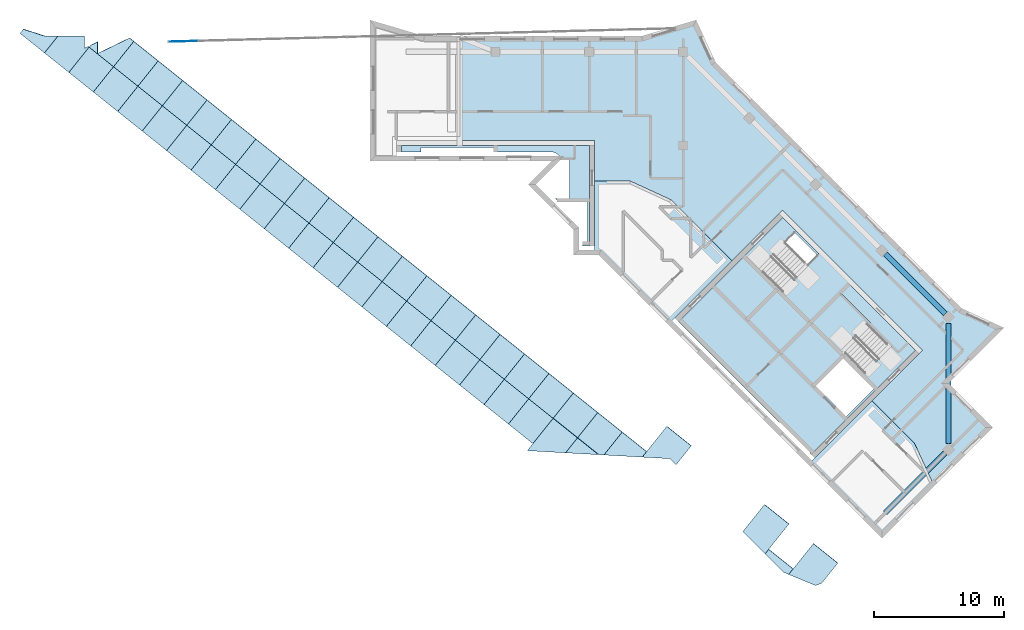
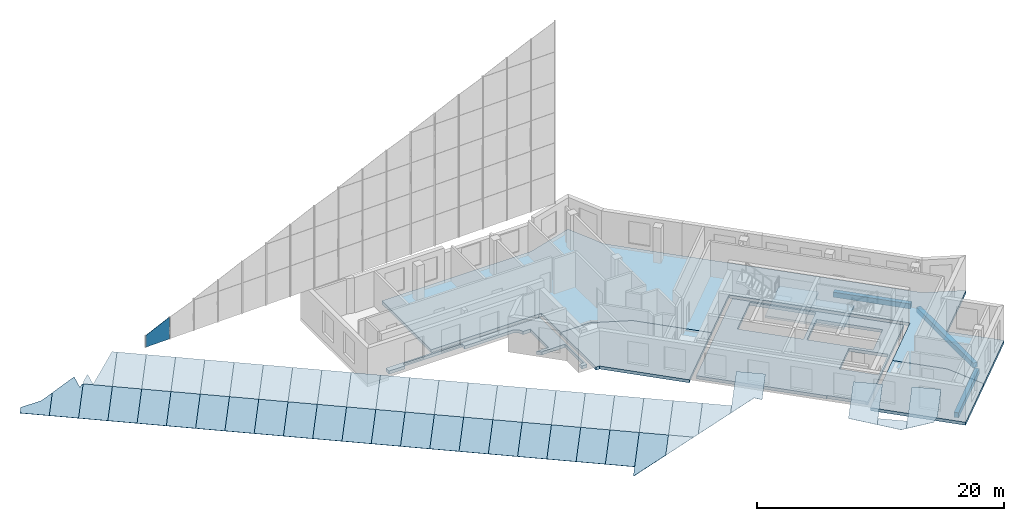
# One storey, part 5 of 13: 50 plates, 7 slabs, 3 beams, 3 openings, 3 elements without a shape of their own.
"""IFC4 building model written with IfcOpenShell, lengths in metres."""

import ifcopenshell
import ifcopenshell.guid

model = None  # the IFC model being written
_history = None  # IfcOwnerHistory: only IFC2X3 demands one
_inside = {}  # id of a spatial element -> (the spatial element, [elements in it])
_under = {}  # id of a project, library or spatial element -> (it, [spatial elements below it])
_declared = {}  # id of a project -> (the project, [libraries it declares])
_typed = {}  # id of a type object -> (the type object, [elements of that type])
_made_of = {}  # id of a material, layer set ... -> (it, [elements and type objects made of it])


def new_model(schema):
    """Start an empty IFC model of exactly this schema.

    Asked for "IFC4X3", IfcOpenShell would pick the latest addendum, in which some entities
    have other attributes; the version numbers below select the first issue.
    IFC2X3 requires an IfcOwnerHistory on every rooted entity: one is made here for all.
    """
    global model, _history
    if schema == "IFC4X3":
        model = ifcopenshell.file(schema_version=(4, 3, 0, 0))
    else:
        model = ifcopenshell.file(schema=schema)
    _inside.clear()
    _under.clear()
    _declared.clear()
    _typed.clear()
    _made_of.clear()
    _history = None
    if model.schema == "IFC2X3":
        org = make("IfcOrganization", Name="unknown")
        user = make(
            "IfcPersonAndOrganization",
            ThePerson=make("IfcPerson", FamilyName="unknown"),
            TheOrganization=org,
        )
        app = make(
            "IfcApplication",
            ApplicationDeveloper=org,
            Version="unknown",
            ApplicationFullName="unknown",
            ApplicationIdentifier="unknown",
        )
        _history = make(
            "IfcOwnerHistory",
            OwningUser=user,
            OwningApplication=app,
            ChangeAction="ADDED",
            CreationDate=0,
        )
    return model


def make(cls, **values):
    """One entity of the class cls with the attributes given. An attribute that is None is left unset."""
    return model.create_entity(
        cls, **{name: value for name, value in values.items() if value is not None}
    )


def rooted(cls, **values):
    """An entity with a GlobalId (a new one), such as an element, a storey or a relation."""
    return make(cls, GlobalId=ifcopenshell.guid.new(), OwnerHistory=_history, **values)


def si_unit(unit_type, name, prefix=None):
    """IfcSIUnit, for example si_unit("LENGTHUNIT", "METRE", prefix="MILLI")."""
    return make("IfcSIUnit", UnitType=unit_type, Prefix=prefix, Name=name)


def assignment(units):
    """IfcUnitAssignment: the units of a project."""
    return None if units is None else make("IfcUnitAssignment", Units=units)


def point(xyz):
    """IfcCartesianPoint."""
    return None if xyz is None else make("IfcCartesianPoint", Coordinates=xyz)


def direction(xyz):
    """IfcDirection."""
    return None if xyz is None else make("IfcDirection", DirectionRatios=xyz)


def frame(location, z_axis=None, x_axis=None):
    """IfcAxis2Placement3D, a coordinate frame: its origin and axes. An axis left out is left unset."""
    return make(
        "IfcAxis2Placement3D",
        Location=point(location),
        Axis=direction(z_axis),
        RefDirection=direction(x_axis),
    )


def frame_2d(location, x_axis=None):
    """IfcAxis2Placement2D, a coordinate frame in the plane: its origin and x axis."""
    return make(
        "IfcAxis2Placement2D", Location=point(location), RefDirection=direction(x_axis)
    )


def origin():
    """The frame at (0, 0, 0) with its axes left unset."""
    return frame((0.0, 0.0, 0.0))


def origin_2d():
    """The frame at (0, 0) in the plane with its x axis left unset."""
    return frame_2d((0.0, 0.0))


def place(relative_to, where):
    """IfcLocalPlacement: puts the frame where relative to a parent placement (None: the world)."""
    return make(
        "IfcLocalPlacement", PlacementRelTo=relative_to, RelativePlacement=where
    )


def context(
    kind, dimensions, precision=None, world=None, true_north=None, identifier=None
):
    """IfcGeometricRepresentationContext, for example the 3D "Model" context."""
    return make(
        "IfcGeometricRepresentationContext",
        ContextIdentifier=identifier,
        ContextType=kind,
        CoordinateSpaceDimension=dimensions,
        Precision=precision,
        WorldCoordinateSystem=world,
        TrueNorth=true_north,
    )


def subcontext(parent, identifier, kind, view, scale=None):
    """IfcGeometricRepresentationSubContext, for example "Body" below "Model"."""
    return make(
        "IfcGeometricRepresentationSubContext",
        ContextIdentifier=identifier,
        ContextType=kind,
        ParentContext=parent,
        TargetScale=scale,
        TargetView=view,
    )


def project(units=None, contexts=None):
    """IfcProject with its units and contexts."""
    return rooted(
        "IfcProject",
        Name="project",
        RepresentationContexts=contexts,
        UnitsInContext=assignment(units),
    )


def spatial(cls, under=None, at=None, **own):
    """A site, building, storey or space (cls), placed at a placement, below another one or the project."""
    s = rooted(cls, ObjectPlacement=at, **own)
    if under is not None:
        _under.setdefault(under.id(), (under, []))[1].append(s)
    return s


def polyline(points):
    """IfcPolyline through the points."""
    return make("IfcPolyline", Points=[point(p) for p in points])


def profile(cls, at=None, kind="AREA", **sizes):
    """A parametric profile (cls). Its sizes go by their IFC names, for example OverallWidth=200.0."""
    return make(cls, ProfileType=kind, Position=at, **sizes)


def rectangle(**sizes):
    """IfcRectangleProfileDef."""
    return profile("IfcRectangleProfileDef", **sizes)


def outline(outer, holes=None, kind="AREA"):
    """IfcArbitraryClosedProfileDef: a profile drawn as a closed curve; with holes, ...WithVoids."""
    if holes is None:
        return make("IfcArbitraryClosedProfileDef", ProfileType=kind, OuterCurve=outer)
    return make(
        "IfcArbitraryProfileDefWithVoids",
        ProfileType=kind,
        OuterCurve=outer,
        InnerCurves=holes,
    )


def extrude(swept, where, along, depth):
    """IfcExtrudedAreaSolid: the profile swept, set in the frame where, extruded along a direction by depth."""
    return make(
        "IfcExtrudedAreaSolid",
        SweptArea=swept,
        Position=where,
        ExtrudedDirection=direction(along),
        Depth=depth,
    )


def shape(context_of_items, identifier, shape_type, items):
    """IfcShapeRepresentation: the items that make up one representation, for example the "Body"."""
    return make(
        "IfcShapeRepresentation",
        ContextOfItems=context_of_items,
        RepresentationIdentifier=identifier,
        RepresentationType=shape_type,
        Items=items,
    )


def material(Name=None, Category=None):
    """IfcMaterial."""
    return make("IfcMaterial", Name=Name, Category=Category)


def layer(
    of_material, thickness, ventilated=None, Name=None, Category=None, Priority=None
):
    """IfcMaterialLayer: one layer of a wall or slab, of a material (None: an air gap)."""
    return make(
        "IfcMaterialLayer",
        Material=of_material,
        LayerThickness=thickness,
        IsVentilated=ventilated,
        Name=Name,
        Category=Category,
        Priority=Priority,
    )


def layer_set(layers, Name=None):
    """IfcMaterialLayerSet."""
    return make("IfcMaterialLayerSet", MaterialLayers=layers, LayerSetName=Name)


def material_profile(
    of_material, cross_section, Name=None, Category=None, Priority=None
):
    """IfcMaterialProfile: a cross section and its material."""
    return make(
        "IfcMaterialProfile",
        Name=Name,
        Material=of_material,
        Profile=cross_section,
        Priority=Priority,
        Category=Category,
    )


def profile_set(profiles, Name=None, composite=None):
    """IfcMaterialProfileSet."""
    return make(
        "IfcMaterialProfileSet",
        Name=Name,
        MaterialProfiles=profiles,
        CompositeProfile=composite,
    )


def made_of(thing, what):
    """Note that an element or type object is made of a material, layer set ...; save() writes the relation."""
    if what is not None:
        _made_of.setdefault(what.id(), (what, []))[1].append(thing)
    return thing


def type_object(cls, material=None, **own):
    """A type object (cls), such as IfcWallType, which elements share."""
    return made_of(rooted(cls, **own), material)


def element(
    cls,
    number,
    at=None,
    inside=None,
    cuts=None,
    type_object=None,
    material=None,
    context=None,
    identifier="Body",
    shape_type=None,
    held_by="IfcProductDefinitionShape",
    body=None,
    shapes=None,
    **own,
):
    """One element of the class cls, such as IfcWall. Its Tag is "e" and its number.

    at: its placement. inside: the storey or other place that contains it. cuts: it is an
    opening in that element (IfcRelVoidsElement). A single representation is given by context,
    identifier, shape_type and body (its items); several are given by shapes. held_by: the class
    of the entity that holds the representations. save() writes the other relations.
    """
    e = rooted(cls, Tag="e%d" % number, ObjectPlacement=at, **own)
    if body is not None:
        shapes = [shape(context, identifier, shape_type, body)]
    if shapes is not None:
        e.Representation = make(held_by, Representations=shapes)
    if inside is not None:
        _inside.setdefault(inside.id(), (inside, []))[1].append(e)
    if cuts is not None:
        rooted(
            "IfcRelVoidsElement", RelatingBuildingElement=cuts, RelatedOpeningElement=e
        )
    if type_object is not None:
        _typed.setdefault(type_object.id(), (type_object, []))[1].append(e)
    return made_of(e, material)


def aggregate(whole, parts):
    """IfcRelAggregates: a whole, such as a stair, and the parts it consists of."""
    return rooted("IfcRelAggregates", RelatingObject=whole, RelatedObjects=parts)


def save(model, path):
    """Write the relations noted so far, then the file.

    IfcRelAggregates (storeys below a building ...), IfcRelContainedInSpatialStructure (elements
    in a storey), IfcRelDefinesByType, IfcRelAssociatesMaterial and IfcRelDeclares: one each for
    every whole, place, type object, material and project.
    """
    for whole, parts in _under.values():
        aggregate(whole, parts)
    for where, things in _inside.values():
        rooted(
            "IfcRelContainedInSpatialStructure",
            RelatedElements=things,
            RelatingStructure=where,
        )
    for kind, things in _typed.values():
        rooted("IfcRelDefinesByType", RelatedObjects=things, RelatingType=kind)
    for what, things in _made_of.values():
        rooted("IfcRelAssociatesMaterial", RelatedObjects=things, RelatingMaterial=what)
    for by, libraries in _declared.values():
        rooted("IfcRelDeclares", RelatingContext=by, RelatedDefinitions=libraries)
    model.write(path)


model = new_model("IFC4")

# Units and contexts
model_context = context("Model", 3, precision=1e-05, world=origin(), true_north=direction((0.0, 1.0)))
body_context = subcontext(model_context, "Body", "Model", "MODEL_VIEW")
ifc_project = project(units=[si_unit("LENGTHUNIT", "METRE"), si_unit("AREAUNIT", "SQUARE_METRE"), si_unit("VOLUMEUNIT", "CUBIC_METRE"), si_unit("PLANEANGLEUNIT", "RADIAN"), si_unit("MASSUNIT", "GRAM", prefix="KILO")], contexts=[model_context])

# Site, building, storey
site_placement = place(None, origin())
site = spatial("IfcSite", under=ifc_project, at=site_placement, CompositionType="ELEMENT")
building_placement = place(site_placement, origin())
building = spatial("IfcBuilding", under=site, at=building_placement, Name="Windrow Commons", CompositionType="ELEMENT")
storey_placement = place(building_placement, frame((0.0, 0.0, 302.0)))
storey = spatial("IfcBuildingStorey", under=building, at=storey_placement, Name="L82", CompositionType="ELEMENT", Elevation=302.0)

# Beams
ifc_material_1 = material(Name="Concrete C40/50", Category="concrete")
ifc_material_profile = material_profile(ifc_material_1, rectangle(XDim=0.4, YDim=0.5, at=origin_2d()))
ifc_profile_set = profile_set([ifc_material_profile], Name="Concrete C40/50")
beam_type = type_object("IfcBeamType", Name="RC EDGE BEAM 400x500 C40/50", PredefinedType="SPANDREL", material=ifc_profile_set)
beam_1_placement = place(storey_placement, frame((94.721, 56.479, -0.55), z_axis=(0.7071067812, -0.7071067812, 0.0), x_axis=(0.7071067812, 0.7071067812, 0.0)))
element("IfcBeam", 1, at=beam_1_placement, inside=storey, type_object=beam_type, Name="Edge beam L82 007", PredefinedType="SPANDREL", context=body_context, shape_type="SweptSolid", body=[
    extrude(rectangle(XDim=0.4, YDim=0.5, at=origin_2d()), origin(), (0.0, 0.0, 1.0), 6.5),
])
beam_2_placement = place(storey_placement, frame((99.5647, 51.1403, -0.55), z_axis=(0.0, -1.0, 0.0), x_axis=(1.0, 0.0, 0.0)))
element("IfcBeam", 2, at=beam_2_placement, inside=storey, type_object=beam_type, Name="Edge beam L82 008", PredefinedType="SPANDREL", context=body_context, shape_type="SweptSolid", body=[
    extrude(rectangle(XDim=0.4, YDim=0.5, at=origin_2d()), origin(), (0.0, 0.0, 1.0), 9.1923),
])
beam_3_placement = place(storey_placement, frame((99.3172, 41.2055, -0.55), z_axis=(-0.7071067812, -0.7071067812, 0.0), x_axis=(0.7071067812, -0.7071067812, 0.0)))
element("IfcBeam", 3, at=beam_3_placement, inside=storey, type_object=beam_type, Name="Edge beam L82 009", PredefinedType="SPANDREL", context=body_context, shape_type="SweptSolid", body=[
    extrude(rectangle(XDim=0.4, YDim=0.5, at=origin_2d()), origin(), (0.0, 0.0, 1.0), 6.5),
])

# Slab
ifc_material_2 = material(Name="Concrete C40/50", Category="concrete")
ifc_layer_1 = layer(ifc_material_2, 0.3)
ifc_layer_set_1 = layer_set([ifc_layer_1], Name="CORE FLOOR SLAB 300 C40/50")
slab_type_1 = type_object("IfcSlabType", Name="CORE FLOOR SLAB 300 C40/50", PredefinedType="FLOOR", material=ifc_layer_set_1)
placement_1 = place(storey_placement, frame((0.0, 0.0, -0.3)))
element("IfcSlab", 4, at=placement_1, inside=storey, type_object=slab_type_1, Name="S-L82-core-A", PredefinedType="FLOOR", context=body_context, shape_type="SweptSolid", body=[
    extrude(outline(polyline([(57.6, 64.8), (72.0, 64.8), (72.0, 57.1), (71.5, 57.1), (71.5, 57.45), (71.85, 57.45), (71.85, 60.45), (69.6782, 60.45), (69.3782, 60.75), (70.5, 60.75), (70.5, 63.705), (69.7941, 63.705), (69.7894, 63.7366), (69.7728, 63.8032), (69.7496, 63.8679), (69.7202, 63.93), (69.6849, 63.9889), (69.644, 64.0441), (69.5979, 64.095), (69.547, 64.1411), (69.4918, 64.182), (69.4329, 64.2173), (69.3708, 64.2467), (69.3061, 64.2699), (69.2395, 64.2865), (69.1715, 64.2966), (69.1029, 64.3), (64.65, 64.3), (64.65, 64.65), (59.1, 64.65), (59.1, 64.3), (57.6, 64.3), (57.6, 64.8)])), origin(), (0.0, 0.0, 1.0), 0.3),
])

# Slab, openings
slab_2 = element("IfcSlab", 5, at=placement_1, inside=storey, type_object=slab_type_1, Name="S-L82-core-B", PredefinedType="FLOOR", context=body_context, shape_type="SweptSolid", body=[
    extrude(outline(polyline([(86.8368, 59.2721), (97.0191, 49.0897), (89.0288, 41.0994), (88.9227, 41.2055), (88.9581, 41.2409), (86.6246, 43.5743), (86.5893, 43.539), (78.8465, 51.2818), (86.8368, 59.2721)]), holes=[polyline([(91.7158, 43.9986), (93.8371, 46.1199), (91.5037, 48.4533), (89.3823, 46.332), (91.7158, 43.9986)]), polyline([(88.9581, 51.4232), (91.7158, 54.1809), (87.7913, 58.1054), (85.0336, 55.3476), (88.9581, 51.4232)]), polyline([(93.0946, 47.2866), (95.1841, 49.3761), (91.2597, 53.3006), (89.1702, 51.2111), (93.0946, 47.2866)])]), origin(), (0.0, 0.0, 1.0), 0.3),
])
opening_1_placement = place(placement_1, origin())
element("IfcOpeningElement", 6, at=opening_1_placement, cuts=slab_2, Name="Slab opening S-L82-core-B 1", PredefinedType="OPENING", context=body_context, shape_type="SweptSolid", body=[
    extrude(outline(polyline([(91.7158, 44.0057), (89.3894, 46.332), (91.5037, 48.4462), (93.83, 46.1199), (91.7158, 44.0057)])), origin(), (0.0, 0.0, 1.0), 0.3),
])
opening_2_placement = place(placement_1, origin())
element("IfcOpeningElement", 7, at=opening_2_placement, cuts=slab_2, Name="Slab opening S-L82-core-B 2", PredefinedType="OPENING", context=body_context, shape_type="SweptSolid", body=[
    extrude(outline(polyline([(88.9581, 51.4303), (85.0407, 55.3476), (87.7913, 58.0983), (91.7087, 54.1809), (88.9581, 51.4303)])), origin(), (0.0, 0.0, 1.0), 0.3),
])
opening_3_placement = place(placement_1, origin())
element("IfcOpeningElement", 8, at=opening_3_placement, cuts=slab_2, Name="Slab opening S-L82-core-B 3", PredefinedType="OPENING", context=body_context, shape_type="SweptSolid", body=[
    extrude(outline(polyline([(93.0946, 47.2937), (89.1773, 51.2111), (91.2597, 53.2935), (95.177, 49.3761), (93.0946, 47.2937)])), origin(), (0.0, 0.0, 1.0), 0.3),
])

# Stair, slab
ifc_material_3 = material(Name="Concrete C40/50", Category="concrete")
stair_type = type_object("IfcStairType", Name="Core stair", PredefinedType="HALF_TURN_STAIR", material=ifc_material_3)
placement_2 = place(storey_placement, origin())
stair_1 = element("IfcStair", 9, at=placement_2, inside=storey, type_object=stair_type, Name="L82 Exit stair B1 core B", PredefinedType="HALF_TURN_STAIR")
ifc_material_4 = material(Name="Concrete C40/50", Category="concrete")
ifc_layer_2 = layer(ifc_material_4, 0.2)
ifc_layer_set_2 = layer_set([ifc_layer_2], Name="Core stair landing")
slab_type_2 = type_object("IfcSlabType", Name="Core stair landing", PredefinedType="LANDING", material=ifc_layer_set_2)
placement_3 = place(storey_placement, frame((0.0, 0.0, 1.7)))
slab_3 = element("IfcSlab", 10, at=placement_3, type_object=slab_type_2, Name="ST-B1 landing 1", PredefinedType="LANDING", context=body_context, shape_type="SweptSolid", body=[
    extrude(outline(polyline([(86.5539, 53.4738), (88.8874, 51.1403), (91.9986, 54.2516), (89.6652, 56.5851), (86.5539, 53.4738)])), origin(), (0.0, 0.0, 1.0), 0.2),
])
aggregate(stair_1, [slab_3])

stair_2 = element("IfcStair", 11, at=placement_2, inside=storey, type_object=stair_type, Name="L82 Exit stair B2 core B", PredefinedType="HALF_TURN_STAIR")
slab_4 = element("IfcSlab", 12, at=placement_3, type_object=slab_type_2, Name="ST-B2 landing 1", PredefinedType="LANDING", context=body_context, shape_type="SweptSolid", body=[
    extrude(outline(polyline([(88.8874, 51.1403), (91.2208, 48.8069), (93.5931, 51.1792), (91.2597, 53.5127), (88.8874, 51.1403)])), origin(), (0.0, 0.0, 1.0), 0.2),
])
aggregate(stair_2, [slab_4])

# Plates
ifc_material_5 = material(Name="Laminated glass in aluminium frame", Category="aluminium")
ifc_layer_3 = layer(ifc_material_5, 0.04)
ifc_layer_set_3 = layer_set([ifc_layer_3], Name="Crown glazing panel 2400x3000")
plate_type_1 = type_object("IfcPlateType", Name="Crown glazing panel 2400x3000", PredefinedType="SHEET", material=ifc_layer_set_3)
plate_1_placement = place(storey_placement, frame((70.1802, 41.2142, 1.2736), z_axis=(-0.3493437599, -0.4366593371, 0.829028082), x_axis=(0.5179035181, 0.6473511463, 0.5592069735)))
element("IfcPlate", 13, at=plate_1_placement, inside=storey, type_object=plate_type_1, Name="Crown glazing 57", PredefinedType="SHEET", context=body_context, shape_type="SweptSolid", body=[
    extrude(outline(polyline([(0.0, 0.0), (1.7698, 0.0), (1.7698, -2.0597), (0.0, 0.0)])), origin(), (0.0, 0.0, -1.0), 0.04),
])
plate_2_placement = place(storey_placement, frame((67.669, 41.9171, 0.5857), z_axis=(-0.349330801, -0.4366576763, 0.8290344174), x_axis=(-0.7808647444, 0.6247001288, 0.0)))
element("IfcPlate", 14, at=plate_2_placement, inside=storey, type_object=plate_type_1, Name="Crown glazing 58", PredefinedType="SHEET", context=body_context, shape_type="SweptSolid", body=[
    extrude(outline(polyline([(0.0, 0.0), (2.4, 0.0), (2.4, -3.0), (0.0, -3.0), (0.0, 0.0)])), origin(), (0.0, 0.0, -1.0), 0.04),
])
plate_3_placement = place(storey_placement, frame((65.7949, 43.4164, 0.5857), z_axis=(-0.3493165936, -0.4366690422, 0.8290344173), x_axis=(-0.7808850696, 0.6246747219, 0.0)))
element("IfcPlate", 15, at=plate_3_placement, inside=storey, type_object=plate_type_1, Name="Crown glazing 59", PredefinedType="SHEET", context=body_context, shape_type="SweptSolid", body=[
    extrude(outline(polyline([(0.0, 0.0), (2.4, 0.0), (2.3999, -3.0), (-0.0001, -3.0), (0.0, 0.0)])), origin(), (0.0, 0.0, -1.0), 0.04),
])
plate_4_placement = place(storey_placement, frame((63.9208, 44.9156, 0.5857), z_axis=(-0.349330801, -0.4366576763, 0.8290344174), x_axis=(-0.7808647444, 0.6247001288, 0.0)))
element("IfcPlate", 16, at=plate_4_placement, inside=storey, type_object=plate_type_1, Name="Crown glazing 60", PredefinedType="SHEET", context=body_context, shape_type="SweptSolid", body=[
    extrude(outline(polyline([(0.0, 0.0), (2.4, 0.0), (2.4, -3.0), (0.0, -3.0), (0.0, 0.0)])), origin(), (0.0, 0.0, -1.0), 0.04),
])
plate_5_placement = place(storey_placement, frame((62.0467, 46.4149, 0.5857), z_axis=(-0.3493394993, -0.436656899, 0.8290311615), x_axis=(-0.780851026, 0.6247172762, 6.0337e-06)))
element("IfcPlate", 17, at=plate_5_placement, inside=storey, type_object=plate_type_1, Name="Crown glazing 61", PredefinedType="SHEET", context=body_context, shape_type="SweptSolid", body=[
    extrude(outline(polyline([(0.0, 0.0), (2.4, 0.0), (2.4001, -3.0), (0.0001, -3.0), (0.0, 0.0)])), origin(), (0.0, 0.0, -1.0), 0.04),
])
plate_6_placement = place(storey_placement, frame((60.1727, 47.9142, 0.5857), z_axis=(-0.3493252917, -0.436668265, 0.8290311616), x_axis=(-0.7808825273, 0.6246778998, -6.0334e-06)))
element("IfcPlate", 18, at=plate_6_placement, inside=storey, type_object=plate_type_1, Name="Crown glazing 62", PredefinedType="SHEET", context=body_context, shape_type="SweptSolid", body=[
    extrude(outline(polyline([(0.0, 0.0), (2.4, 0.0), (2.3999, -3.0), (0.0, -3.0), (0.0, 0.0)])), origin(), (0.0, 0.0, -1.0), 0.04),
])
for number, where, z_axis, x_axis, name in (
    (19, (58.2986, 49.4134, 0.5857), (-0.349330801, -0.4366576763, 0.8290344174), (-0.7808647444, 0.6247001288, 0.0), "Crown glazing 63"),
    (20, (56.4245, 50.9127, 0.5857), (-0.349330801, -0.4366576763, 0.8290344174), (-0.7808647444, 0.6247001288, 0.0), "Crown glazing 64"),
):
    element("IfcPlate", number, at=place(storey_placement, frame(where, z_axis=z_axis, x_axis=x_axis)), inside=storey, type_object=plate_type_1, Name=name, PredefinedType="SHEET", context=body_context, shape_type="SweptSolid", body=[
        extrude(outline(polyline([(0.0, 0.0), (2.4, 0.0), (2.4, -3.0), (0.0, -3.0), (0.0, 0.0)])), origin(), (0.0, 0.0, -1.0), 0.04),
    ])
plate_7_placement = place(storey_placement, frame((54.5504, 52.412, 0.5857), z_axis=(-0.3493165936, -0.4366690422, 0.8290344173), x_axis=(-0.7808850696, 0.6246747219, 0.0)))
element("IfcPlate", 21, at=plate_7_placement, inside=storey, type_object=plate_type_1, Name="Crown glazing 65", PredefinedType="SHEET", context=body_context, shape_type="SweptSolid", body=[
    extrude(outline(polyline([(0.0, 0.0), (2.4, 0.0), (2.3999, -3.0), (-0.0001, -3.0), (0.0, 0.0)])), origin(), (0.0, 0.0, -1.0), 0.04),
])
for number, where, z_axis, x_axis, name in (
    (22, (52.6763, 53.9112, 0.5857), (-0.349330801, -0.4366576763, 0.8290344174), (-0.7808647444, 0.6247001288, 0.0), "Crown glazing 66"),
    (23, (50.8022, 55.4105, 0.5857), (-0.349330801, -0.4366576763, 0.8290344174), (-0.7808647444, 0.6247001288, 0.0), "Crown glazing 67"),
):
    element("IfcPlate", number, at=place(storey_placement, frame(where, z_axis=z_axis, x_axis=x_axis)), inside=storey, type_object=plate_type_1, Name=name, PredefinedType="SHEET", context=body_context, shape_type="SweptSolid", body=[
        extrude(outline(polyline([(0.0, 0.0), (2.4, 0.0), (2.4, -3.0), (0.0, -3.0), (0.0, 0.0)])), origin(), (0.0, 0.0, -1.0), 0.04),
    ])
plate_8_placement = place(storey_placement, frame((48.9281, 56.9098, 0.5857), z_axis=(-0.3493286265, -0.4366578706, 0.8290352313), x_axis=(-0.7808681739, 0.624695842, -1.5084e-06)))
element("IfcPlate", 24, at=plate_8_placement, inside=storey, type_object=plate_type_1, Name="Crown glazing 68", PredefinedType="SHEET", context=body_context, shape_type="SweptSolid", body=[
    extrude(outline(polyline([(0.0, 0.0), (2.3999, 0.0), (2.4, -3.0), (0.0, -3.0), (0.0, 0.0)])), origin(), (0.0, 0.0, -1.0), 0.04),
])
plate_9_placement = place(storey_placement, frame((47.0541, 58.409, 0.5857), z_axis=(-0.3493286265, -0.4366578706, 0.8290352313), x_axis=(-0.78086538, 0.6246993343, 1.5083e-06)))
element("IfcPlate", 25, at=plate_9_placement, inside=storey, type_object=plate_type_1, Name="Crown glazing 69", PredefinedType="SHEET", context=body_context, shape_type="SweptSolid", body=[
    extrude(outline(polyline([(0.0, 0.0), (2.4, 0.0), (2.4, -3.0), (0.0001, -3.0), (0.0, 0.0)])), origin(), (0.0, 0.0, -1.0), 0.04),
])
plate_10_placement = place(storey_placement, frame((45.18, 59.9083, 0.5857), z_axis=(-0.349330801, -0.4366576763, 0.8290344174), x_axis=(-0.7808647444, 0.6247001288, 0.0)))
element("IfcPlate", 26, at=plate_10_placement, inside=storey, type_object=plate_type_1, Name="Crown glazing 70", PredefinedType="SHEET", context=body_context, shape_type="SweptSolid", body=[
    extrude(outline(polyline([(0.0, 0.0), (2.4, 0.0), (2.4, -3.0), (0.0, -3.0), (0.0, 0.0)])), origin(), (0.0, 0.0, -1.0), 0.04),
])
plate_11_placement = place(storey_placement, frame((43.3059, 61.4076, 0.5857), z_axis=(-0.3493199284, -0.4366586479, 0.829038487), x_axis=(-0.7808818918, 0.6246786943, -7.5419e-06)))
element("IfcPlate", 27, at=plate_11_placement, inside=storey, type_object=plate_type_1, Name="Crown glazing 71", PredefinedType="SHEET", context=body_context, shape_type="SweptSolid", body=[
    extrude(outline(polyline([(0.0, 0.0), (2.4, 0.0), (2.4, -3.0001), (-0.0001, -3.0), (0.0, 0.0)])), origin(), (0.0, 0.0, -1.0), 0.04),
])
plate_12_placement = place(storey_placement, frame((41.4318, 62.9068, 0.5857), z_axis=(-0.3493199284, -0.4366586479, 0.829038487), x_axis=(-0.7808679222, 0.6246961565, 7.5417e-06)))
element("IfcPlate", 28, at=plate_12_placement, inside=storey, type_object=plate_type_1, Name="Crown glazing 72", PredefinedType="SHEET", context=body_context, shape_type="SweptSolid", body=[
    extrude(outline(polyline([(0.0, 0.0), (2.4, 0.0), (2.4, -3.0), (0.0001, -3.0001), (0.0, 0.0)])), origin(), (0.0, 0.0, -1.0), 0.04),
])
for number, where, z_axis, x_axis, name in (
    (29, (39.5577, 64.4061, 0.5857), (-0.349330801, -0.4366576763, 0.8290344174), (-0.7808647444, 0.6247001288, 0.0), "Crown glazing 73"),
    (30, (37.6836, 65.9054, 0.5857), (-0.349330801, -0.4366576763, 0.8290344174), (-0.7808647444, 0.6247001288, 0.0), "Crown glazing 74"),
):
    element("IfcPlate", number, at=place(storey_placement, frame(where, z_axis=z_axis, x_axis=x_axis)), inside=storey, type_object=plate_type_1, Name=name, PredefinedType="SHEET", context=body_context, shape_type="SweptSolid", body=[
        extrude(outline(polyline([(0.0, 0.0), (2.4, 0.0), (2.4, -3.0), (0.0, -3.0), (0.0, 0.0)])), origin(), (0.0, 0.0, -1.0), 0.04),
    ])
plate_13_placement = place(storey_placement, frame((35.8095, 67.4047, 0.5857), z_axis=(-0.3493252917, -0.436668265, 0.8290311616), x_axis=(-0.7808713518, 0.6246918695, 6.0336e-06)))
element("IfcPlate", 31, at=plate_13_placement, inside=storey, type_object=plate_type_1, Name="Crown glazing 75", PredefinedType="SHEET", context=body_context, shape_type="SweptSolid", body=[
    extrude(outline(polyline([(0.0, 0.0), (2.3999, 0.0), (2.4, -3.0), (0.0, -3.0), (0.0, 0.0)])), origin(), (0.0, 0.0, -1.0), 0.04),
])
plate_14_placement = place(storey_placement, frame((33.9355, 68.9039, 0.5857), z_axis=(-0.3493394993, -0.436656899, 0.8290311615), x_axis=(-0.780862202, 0.6247033067, -6.0335e-06)))
element("IfcPlate", 32, at=plate_14_placement, inside=storey, type_object=plate_type_1, Name="Crown glazing 76", PredefinedType="SHEET", context=body_context, shape_type="SweptSolid", body=[
    extrude(outline(polyline([(0.0, 0.0), (2.4, 0.0), (2.4, -3.0), (0.0001, -3.0), (0.0, 0.0)])), origin(), (0.0, 0.0, -1.0), 0.04),
])
plate_15_placement = place(storey_placement, frame((28.5725, 73.7258, 0.8657), z_axis=(-0.3493188593, -0.4366632947, 0.8290364899), x_axis=(0.925867184, -0.2968619573, 0.2337582852)))
element("IfcPlate", 33, at=plate_15_placement, inside=storey, type_object=plate_type_1, Name="Crown glazing 77", PredefinedType="SHEET", context=body_context, shape_type="SweptSolid", body=[
    extrude(outline(polyline([(0.0, 0.0), (1.7713, 0.0), (2.8088, 0.3627), (1.9709, -1.4581), (-0.2093, -0.4548), (0.0, 0.0)])), origin(), (0.0, 0.0, -1.0), 0.04),
])
plate_16_placement = place(storey_placement, frame((86.9074, 32.0485, 3.4942), z_axis=(-0.3493480736, -0.4366739853, 0.8290185487), x_axis=(-0.705144188, 0.7051617977, 0.0742866959)))
element("IfcPlate", 34, at=plate_16_placement, inside=storey, type_object=plate_type_1, Name="Crown glazing 78", PredefinedType="SHEET", context=body_context, shape_type="SweptSolid", body=[
    extrude(outline(polyline([(0.0, 0.0), (2.0052, 0.0), (2.076, -0.5277), (-0.3027, -0.8464), (-0.3897, -0.1976), (0.0, 0.0)])), origin(), (0.0, 0.0, -1.0), 0.04),
])
plate_17_placement = place(storey_placement, frame((73.1223, 41.0499, 2.4268), z_axis=(-0.3493268282, -0.4366649755, 0.8290322468), x_axis=(0.5178653147, 0.6473870421, 0.5592007989)))
element("IfcPlate", 35, at=plate_17_placement, inside=storey, type_object=plate_type_1, Name="Crown glazing 79", PredefinedType="SHEET", context=body_context, shape_type="SweptSolid", body=[
    extrude(outline(polyline([(0.0, 0.0), (2.7076, 0.0), (2.7075, -2.4), (2.062, -2.4), (0.0, 0.0)])), origin(), (0.0, 0.0, -1.0), 0.04),
])
plate_18_placement = place(storey_placement, frame((72.7051, 41.0732, 2.2633), z_axis=(-0.3493272943, -0.4366556144, 0.829036981), x_axis=(-0.7808582781, 0.6247082115, 8.7311e-06)))
element("IfcPlate", 36, at=plate_18_placement, inside=storey, type_object=plate_type_1, Name="Crown glazing 80", PredefinedType="SHEET", context=body_context, shape_type="SweptSolid", body=[
    extrude(outline(polyline([(0.0, 0.0), (2.0597, 0.0), (2.0597, -3.0), (-0.3402, -3.0001), (-0.3403, -0.2924), (0.0, 0.0)])), origin(), (0.0, 0.0, -1.0), 0.04),
])
for number, where, z_axis, x_axis, name in (
    (37, (71.0968, 42.3599, 2.2633), (-0.349330801, -0.4366576763, 0.8290344174), (-0.7808647444, 0.6247001288, 0.0), "Crown glazing 81"),
    (38, (69.2227, 43.8592, 2.2633), (-0.349330801, -0.4366576763, 0.8290344174), (-0.7808647444, 0.6247001288, 0.0), "Crown glazing 82"),
):
    element("IfcPlate", number, at=place(storey_placement, frame(where, z_axis=z_axis, x_axis=x_axis)), inside=storey, type_object=plate_type_1, Name=name, PredefinedType="SHEET", context=body_context, shape_type="SweptSolid", body=[
        extrude(outline(polyline([(0.0, 0.0), (2.4, 0.0), (2.4, -3.0), (0.0, -3.0), (0.0, 0.0)])), origin(), (0.0, 0.0, -1.0), 0.04),
    ])
plate_19_placement = place(storey_placement, frame((67.3486, 45.3585, 2.2633), z_axis=(-0.3493165936, -0.4366690422, 0.8290344173), x_axis=(-0.7808850696, 0.6246747219, 0.0)))
element("IfcPlate", 39, at=plate_19_placement, inside=storey, type_object=plate_type_1, Name="Crown glazing 83", PredefinedType="SHEET", context=body_context, shape_type="SweptSolid", body=[
    extrude(outline(polyline([(0.0, 0.0), (2.4, 0.0), (2.3999, -3.0), (-0.0001, -3.0), (0.0, 0.0)])), origin(), (0.0, 0.0, -1.0), 0.04),
])
for number, where, z_axis, x_axis, name in (
    (40, (65.4745, 46.8577, 2.2633), (-0.349330801, -0.4366576763, 0.8290344174), (-0.7808647444, 0.6247001288, 0.0), "Crown glazing 84"),
    (41, (63.6004, 48.357, 2.2633), (-0.349330801, -0.4366576763, 0.8290344174), (-0.7808647444, 0.6247001288, 0.0), "Crown glazing 85"),
):
    element("IfcPlate", number, at=place(storey_placement, frame(where, z_axis=z_axis, x_axis=x_axis)), inside=storey, type_object=plate_type_1, Name=name, PredefinedType="SHEET", context=body_context, shape_type="SweptSolid", body=[
        extrude(outline(polyline([(0.0, 0.0), (2.4, 0.0), (2.4, -3.0), (0.0, -3.0), (0.0, 0.0)])), origin(), (0.0, 0.0, -1.0), 0.04),
    ])
plate_20_placement = place(storey_placement, frame((61.7263, 49.8563, 2.2633), z_axis=(-0.3493286265, -0.4366578706, 0.8290352313), x_axis=(-0.7808681739, 0.624695842, -1.5084e-06)))
element("IfcPlate", 42, at=plate_20_placement, inside=storey, type_object=plate_type_1, Name="Crown glazing 86", PredefinedType="SHEET", context=body_context, shape_type="SweptSolid", body=[
    extrude(outline(polyline([(0.0, 0.0), (2.3999, 0.0), (2.4, -3.0), (0.0, -3.0), (0.0, 0.0)])), origin(), (0.0, 0.0, -1.0), 0.04),
])
plate_21_placement = place(storey_placement, frame((59.8523, 51.3555, 2.2633), z_axis=(-0.3493286265, -0.4366578706, 0.8290352313), x_axis=(-0.78086538, 0.6246993343, 1.5083e-06)))
element("IfcPlate", 43, at=plate_21_placement, inside=storey, type_object=plate_type_1, Name="Crown glazing 87", PredefinedType="SHEET", context=body_context, shape_type="SweptSolid", body=[
    extrude(outline(polyline([(0.0, 0.0), (2.4, 0.0), (2.4, -3.0), (0.0001, -3.0), (0.0, 0.0)])), origin(), (0.0, 0.0, -1.0), 0.04),
])
plate_22_placement = place(storey_placement, frame((57.9782, 52.8548, 2.2633), z_axis=(-0.349330801, -0.4366576763, 0.8290344174), x_axis=(-0.7808647444, 0.6247001288, 0.0)))
element("IfcPlate", 44, at=plate_22_placement, inside=storey, type_object=plate_type_1, Name="Crown glazing 88", PredefinedType="SHEET", context=body_context, shape_type="SweptSolid", body=[
    extrude(outline(polyline([(0.0, 0.0), (2.4, 0.0), (2.4, -3.0), (0.0, -3.0), (0.0, 0.0)])), origin(), (0.0, 0.0, -1.0), 0.04),
])
plate_23_placement = place(storey_placement, frame((56.1041, 54.3541, 2.2633), z_axis=(-0.3493199284, -0.4366586479, 0.829038487), x_axis=(-0.7808818918, 0.6246786943, -7.5419e-06)))
element("IfcPlate", 45, at=plate_23_placement, inside=storey, type_object=plate_type_1, Name="Crown glazing 89", PredefinedType="SHEET", context=body_context, shape_type="SweptSolid", body=[
    extrude(outline(polyline([(0.0, 0.0), (2.4, 0.0), (2.4, -3.0001), (-0.0001, -3.0), (0.0, 0.0)])), origin(), (0.0, 0.0, -1.0), 0.04),
])
plate_24_placement = place(storey_placement, frame((54.23, 55.8533, 2.2633), z_axis=(-0.3493199284, -0.4366586479, 0.829038487), x_axis=(-0.7808679222, 0.6246961565, 7.5417e-06)))
element("IfcPlate", 46, at=plate_24_placement, inside=storey, type_object=plate_type_1, Name="Crown glazing 90", PredefinedType="SHEET", context=body_context, shape_type="SweptSolid", body=[
    extrude(outline(polyline([(0.0, 0.0), (2.4, 0.0), (2.4, -3.0), (0.0001, -3.0001), (0.0, 0.0)])), origin(), (0.0, 0.0, -1.0), 0.04),
])
for number, where, z_axis, x_axis, name in (
    (47, (52.3559, 57.3526, 2.2633), (-0.349330801, -0.4366576763, 0.8290344174), (-0.7808647444, 0.6247001288, 0.0), "Crown glazing 91"),
    (48, (50.4818, 58.8519, 2.2633), (-0.349330801, -0.4366576763, 0.8290344174), (-0.7808647444, 0.6247001288, 0.0), "Crown glazing 92"),
):
    element("IfcPlate", number, at=place(storey_placement, frame(where, z_axis=z_axis, x_axis=x_axis)), inside=storey, type_object=plate_type_1, Name=name, PredefinedType="SHEET", context=body_context, shape_type="SweptSolid", body=[
        extrude(outline(polyline([(0.0, 0.0), (2.4, 0.0), (2.4, -3.0), (0.0, -3.0), (0.0, 0.0)])), origin(), (0.0, 0.0, -1.0), 0.04),
    ])
plate_25_placement = place(storey_placement, frame((48.6077, 60.3512, 2.2633), z_axis=(-0.3493252917, -0.436668265, 0.8290311616), x_axis=(-0.7808713518, 0.6246918695, 6.0336e-06)))
element("IfcPlate", 49, at=plate_25_placement, inside=storey, type_object=plate_type_1, Name="Crown glazing 93", PredefinedType="SHEET", context=body_context, shape_type="SweptSolid", body=[
    extrude(outline(polyline([(0.0, 0.0), (2.3999, 0.0), (2.4, -3.0), (0.0, -3.0), (0.0, 0.0)])), origin(), (0.0, 0.0, -1.0), 0.04),
])
plate_26_placement = place(storey_placement, frame((46.7337, 61.8504, 2.2633), z_axis=(-0.3493394993, -0.436656899, 0.8290311615), x_axis=(-0.780862202, 0.6247033067, -6.0335e-06)))
element("IfcPlate", 50, at=plate_26_placement, inside=storey, type_object=plate_type_1, Name="Crown glazing 94", PredefinedType="SHEET", context=body_context, shape_type="SweptSolid", body=[
    extrude(outline(polyline([(0.0, 0.0), (2.4, 0.0), (2.4, -3.0), (0.0001, -3.0), (0.0, 0.0)])), origin(), (0.0, 0.0, -1.0), 0.04),
])
plate_27_placement = place(storey_placement, frame((44.8596, 63.3497, 2.2633), z_axis=(-0.349330801, -0.4366576763, 0.8290344174), x_axis=(-0.7808647444, 0.6247001288, 0.0)))
element("IfcPlate", 51, at=plate_27_placement, inside=storey, type_object=plate_type_1, Name="Crown glazing 95", PredefinedType="SHEET", context=body_context, shape_type="SweptSolid", body=[
    extrude(outline(polyline([(0.0, 0.0), (2.4, 0.0), (2.4, -3.0), (0.0, -3.0), (0.0, 0.0)])), origin(), (0.0, 0.0, -1.0), 0.04),
])
plate_28_placement = place(storey_placement, frame((42.9855, 64.849, 2.2633), z_axis=(-0.3493165936, -0.4366690422, 0.8290344173), x_axis=(-0.7808850696, 0.6246747219, 0.0)))
element("IfcPlate", 52, at=plate_28_placement, inside=storey, type_object=plate_type_1, Name="Crown glazing 96", PredefinedType="SHEET", context=body_context, shape_type="SweptSolid", body=[
    extrude(outline(polyline([(0.0, 0.0), (2.4, 0.0), (2.3999, -3.0), (-0.0001, -3.0), (0.0, 0.0)])), origin(), (0.0, 0.0, -1.0), 0.04),
])
for number, where, z_axis, x_axis, name in (
    (53, (41.1114, 66.3482, 2.2633), (-0.349330801, -0.4366576763, 0.8290344174), (-0.7808647444, 0.6247001288, 0.0), "Crown glazing 97"),
    (54, (39.2373, 67.8475, 2.2633), (-0.349330801, -0.4366576763, 0.8290344174), (-0.7808647444, 0.6247001288, 0.0), "Crown glazing 98"),
):
    element("IfcPlate", number, at=place(storey_placement, frame(where, z_axis=z_axis, x_axis=x_axis)), inside=storey, type_object=plate_type_1, Name=name, PredefinedType="SHEET", context=body_context, shape_type="SweptSolid", body=[
        extrude(outline(polyline([(0.0, 0.0), (2.4, 0.0), (2.4, -3.0), (0.0, -3.0), (0.0, 0.0)])), origin(), (0.0, 0.0, -1.0), 0.04),
    ])
plate_29_placement = place(storey_placement, frame((37.3632, 69.3468, 2.2633), z_axis=(-0.3493165936, -0.4366690422, 0.8290344173), x_axis=(-0.7808850696, 0.6246747219, 0.0)))
element("IfcPlate", 55, at=plate_29_placement, inside=storey, type_object=plate_type_1, Name="Crown glazing 99", PredefinedType="SHEET", context=body_context, shape_type="SweptSolid", body=[
    extrude(outline(polyline([(0.0, 0.0), (2.4, 0.0), (2.3999, -3.0), (-0.0001, -3.0), (0.0, 0.0)])), origin(), (0.0, 0.0, -1.0), 0.04),
])
plate_30_placement = place(storey_placement, frame((34.267, 72.7504, 2.7513), z_axis=(-0.3493559084, -0.4366020306, 0.8290531443), x_axis=(-2.48866e-05, -0.8848002684, -0.4659704759)))
element("IfcPlate", 56, at=plate_30_placement, inside=storey, type_object=plate_type_1, Name="Crown glazing 100", PredefinedType="SHEET", context=body_context, shape_type="SweptSolid", body=[
    extrude(outline(polyline([(0.0, 0.0), (1.0044, 0.0), (-0.8174, 2.6162), (-0.5877, 2.9625), (1.9124, 1.3043), (0.5858, -0.6957), (0.3975, -0.5709), (0.0, 0.0)])), origin(), (0.0, 0.0, -1.0), 0.04),
])
plate_31_placement = place(storey_placement, frame((67.2382, 41.3785, 0.1205), z_axis=(-0.349326489, -0.4366632729, 0.8290332865), x_axis=(0.5178834408, 0.6473738734, 0.5591992577)))
element("IfcPlate", 57, at=plate_31_placement, inside=storey, type_object=plate_type_1, Name="Crown glazing 343", PredefinedType="SHEET", context=body_context, shape_type="SweptSolid", body=[
    extrude(outline(polyline([(0.0, 0.0), (3.8319, 0.0), (3.8319, -2.4), (2.0621, -2.4), (0.0, 0.0)])), origin(), (0.0, 0.0, -1.0), 0.04),
])
plate_32_placement = place(storey_placement, frame((87.3041, 31.8841, 3.5748), z_axis=(-0.3493188506, -0.4366513752, 0.8290427716), x_axis=(0.5178955767, 0.6473763116, 0.5591851955)))
element("IfcPlate", 58, at=plate_32_placement, inside=storey, type_object=plate_type_1, Name="Crown glazing 345", PredefinedType="SHEET", context=body_context, shape_type="SweptSolid", body=[
    extrude(outline(polyline([(0.0, 0.0), (3.6546, 0.0), (3.6546, -2.4), (1.2797, -2.4), (0.7552, -2.1605), (0.0, 0.0)])), origin(), (0.0, 0.0, -1.0), 0.04),
])
plate_33_placement = place(storey_placement, frame((85.4934, 33.4625, 3.6432), z_axis=(-0.3493305645, -0.4366448491, 0.8290412731), x_axis=(-0.7051587429, 0.7051498102, 0.0742623229)))
element("IfcPlate", 59, at=plate_33_placement, inside=storey, type_object=plate_type_1, Name="Crown glazing 346", PredefinedType="SHEET", context=body_context, shape_type="SweptSolid", body=[
    extrude(outline(polyline([(0.0, 0.0), (2.4215, 0.0), (2.8479, -3.1822), (0.4693, -3.501), (0.0, 0.0)])), origin(), (0.0, 0.0, -1.0), 0.04),
])
plate_34_placement = place(storey_placement, frame((76.0643, 40.8856, 3.5799), z_axis=(-0.349324909, -0.4366434745, 0.8290443801), x_axis=(0.5178999185, 0.6473748981, 0.5591828107)))
element("IfcPlate", 60, at=plate_34_placement, inside=storey, type_object=plate_type_1, Name="Crown glazing 348", PredefinedType="SHEET", context=body_context, shape_type="SweptSolid", body=[
    extrude(outline(polyline([(0.0, 0.0), (3.6455, 0.0), (3.6455, -2.4), (1.3998, -2.4001), (1.4891, -1.733), (0.0, 0.0)])), origin(), (0.0, 0.0, -1.0), 0.04),
])
plate_35_placement = place(storey_placement, frame((32.0614, 70.4032, 0.5857), z_axis=(-0.3493296934, -0.4366614602, 0.8290328911), x_axis=(-0.7808658723, 0.6246987189, 2.6767e-06)))
element("IfcPlate", 61, at=plate_35_placement, inside=storey, type_object=plate_type_1, Name="Crown glazing 349", PredefinedType="SHEET", context=body_context, shape_type="SweptSolid", body=[
    extrude(outline(polyline([(0.0, 0.0), (2.4, 0.0), (2.4, -2.0043), (0.8058, -3.5428), (0.223, -2.6642), (0.0895, -3.0), (0.0, -3.0), (0.0, 0.0)])), origin(), (0.0, 0.0, -1.0), 0.04),
])

# Curtain wall, plate
ifc_material_6 = material(Name="Laminated glass in anodised aluminium frame", Category="aluminium")
curtain_wall_type = type_object("IfcCurtainWallType", Name="Curtain wall crown terrace screen", PredefinedType="USERDEFINED", material=ifc_material_6)
curtain_wall = element("IfcCurtainWall", 62, at=placement_2, inside=storey, type_object=curtain_wall_type, Name="Glazed crown screen L82", ObjectType="STICK", PredefinedType="USERDEFINED")
ifc_material_7 = material(Name="Laminated glass in aluminium frame", Category="aluminium")
ifc_layer_4 = layer(ifc_material_7, 0.03)
ifc_layer_set_4 = layer_set([ifc_layer_4], Name="Crown screen glazing 2400")
plate_type_2 = type_object("IfcPlateType", Name="Crown screen glazing 2400", PredefinedType="SHEET", material=ifc_layer_set_4)
plate_36_placement = place(storey_placement, frame((39.7172, 72.749, 3.5), z_axis=(0.0262889858, -0.9996543849, 0.0), x_axis=(0.9996543849, 0.0262889858, 0.0)))
plate_36 = element("IfcPlate", 63, at=plate_36_placement, type_object=plate_type_2, Name="Crown screen glazing L82", PredefinedType="SHEET", context=body_context, shape_type="SweptSolid", body=[
    extrude(outline(polyline([(0.0, 0.0), (2.2291, 0.0), (2.2291, 2.1601), (0.0, 1.1642), (0.0, 0.0)])), origin(), (0.0, 0.0, -1.0), 0.03),
])
aggregate(curtain_wall, [plate_36])

# Slabs
ifc_material_8 = material(Name="Concrete C40/50", Category="concrete")
ifc_layer_5 = layer(ifc_material_8, 0.3)
ifc_layer_set_5 = layer_set([ifc_layer_5], Name="FLOOR SLAB 300 C40/50")
slab_type_3 = type_object("IfcSlabType", Name="FLOOR SLAB 300 C40/50", PredefinedType="FLOOR", material=ifc_layer_set_5)
element("IfcSlab", 64, at=placement_1, inside=storey, type_object=slab_type_3, Name="S-L82-floor", PredefinedType="FLOOR", context=body_context, shape_type="SweptSolid", body=[
    extrude(outline(polyline([(98.4687, 38.66), (94.4735, 34.6648), (102.9588, 43.15), (99.5647, 46.5442), (103.8285, 50.808), (100.5963, 52.3008), (95.8713, 57.0258), (91.1463, 61.7508), (86.4213, 66.4758), (81.6963, 71.2008), (80.2036, 74.433), (76.0308, 73.2), (67.6853, 73.2), (62.067, 73.2), (62.067, 65.2), (72.4, 65.2), (72.4, 62.067), (75.1485, 62.067), (78.2578, 60.6385), (82.916, 55.9804), (82.9477, 55.9487), (86.8368, 59.8378), (97.5848, 49.0897), (93.6957, 45.2006), (96.9665, 41.9299), (98.4687, 38.66)])), origin(), (0.0, 0.0, 1.0), 0.3),
])
ifc_material_9 = material(Name="Concrete C40/50", Category="concrete")
ifc_layer_6 = layer(ifc_material_9, 0.3)
ifc_layer_set_6 = layer_set([ifc_layer_6], Name="TERRACE SLAB 300 C40/50")
slab_type_4 = type_object("IfcSlabType", Name="TERRACE SLAB 300 C40/50", PredefinedType="FLOOR", material=ifc_layer_set_6)
element("IfcSlab", 65, at=placement_1, inside=storey, type_object=slab_type_4, Name="Terrace slab TR-L82-2-1", PredefinedType="FLOOR", context=body_context, shape_type="SweptSolid", body=[
    extrude(outline(polyline([(72.4, 56.4), (72.7383, 56.4), (78.0686, 51.0697), (82.9477, 55.9487), (82.916, 55.9804), (78.2578, 60.6385), (75.1485, 62.067), (72.4, 62.067), (72.4, 56.4)])), origin(), (0.0, 0.0, 1.0), 0.3),
])
element("IfcSlab", 66, at=placement_1, inside=storey, type_object=slab_type_4, Name="Terrace slab TR-L82-2-2", PredefinedType="FLOOR", context=body_context, shape_type="SweptSolid", body=[
    extrude(outline(polyline([(98.4687, 38.66), (96.9665, 41.9299), (93.6957, 45.2006), (88.8167, 40.3216), (94.4735, 34.6648), (98.4687, 38.66)])), origin(), (0.0, 0.0, 1.0), 0.3),
])

save(model, "model.ifc")
